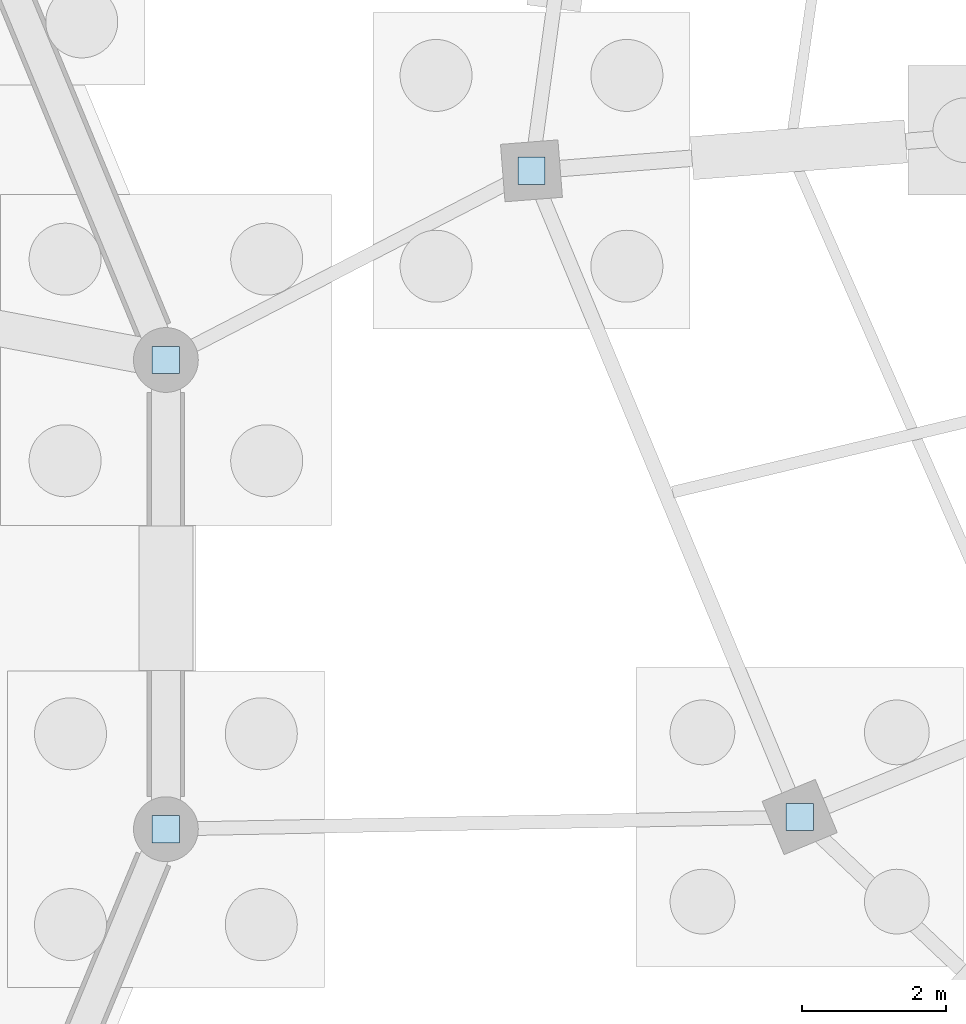
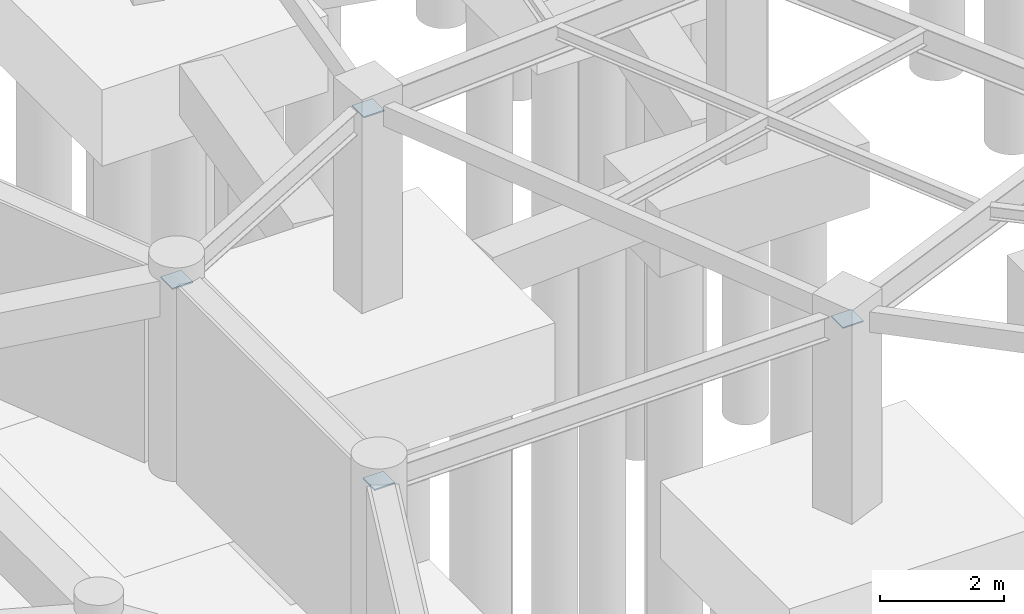
# One storey, part 23 of 38: 4 plates.
"""IFC4 building model written with IfcOpenShell, lengths in metres."""

from ifc_helpers import new_model, si_unit, direction, frame, origin, origin_2d, place, context, subcontext, project, spatial, rectangle, extrude, material, layer, layer_set, type_object, element, save


model = new_model("IFC4")

# Units and contexts
model_context = context("Model", 3, precision=1e-05, world=origin(), true_north=direction((0.0, 1.0)))
body_context = subcontext(model_context, "Body", "Model", "MODEL_VIEW")
ifc_project = project(units=[si_unit("LENGTHUNIT", "METRE"), si_unit("AREAUNIT", "SQUARE_METRE"), si_unit("VOLUMEUNIT", "CUBIC_METRE"), si_unit("PLANEANGLEUNIT", "RADIAN"), si_unit("MASSUNIT", "GRAM", prefix="KILO"), si_unit("THERMODYNAMICTEMPERATUREUNIT", "KELVIN"), si_unit("POWERUNIT", "WATT")], contexts=[model_context])

# Site, building, storey
site_placement = place(None, origin())
site = spatial("IfcSite", under=ifc_project, at=site_placement, CompositionType="ELEMENT")
building_placement = place(site_placement, origin())
building = spatial("IfcBuilding", under=site, at=building_placement, Name="Darbajah Civic Hall", CompositionType="ELEMENT")
storey_placement = place(building_placement, frame((0.0, 0.0, -4.199951171875)))
storey = spatial("IfcBuildingStorey", under=building, at=storey_placement, Name="B01", CompositionType="ELEMENT", Elevation=-4.199951171875)

# Plates
ifc_material = material(Name="Steel S355JR", Category="steel")
ifc_layer = layer(ifc_material, 0.02490234375, Name="Steel S355JR")
ifc_layer_set = layer_set([ifc_layer], Name="Steel S355JR")
plate_type = type_object("IfcPlateType", Name="Steel Gusset Plate 380x380x25", PredefinedType="SHEET", material=ifc_layer_set)
for number, where, z_axis, x_axis, name in (
    (1, (33.179931640625, 84.858154296875, 3.637451171875), (0.0, 0.0, 1.0), (1.0, 0.0, 0.0), "Link walk PTFE sliding bearing seat plate SBG-01"),
    (2, (38.257080078125, 87.485595703125, 3.637451171875), (0.0, 0.0, 1.0), (1.0, 0.0, 0.0), "Link walk PTFE sliding bearing seat plate SBG-02"),
    (3, (33.179931640625, 78.341796875, 3.637451171875), (0.0, 0.0, 1.0), (1.0, 0.0, 0.0), "Link walk PTFE sliding bearing seat plate SBG-03"),
    (4, (41.982177734375, 78.5107421875, 3.637451171875), (0.0, 0.0, 1.0), (1.0, 0.0, 0.0), "Link walk PTFE sliding bearing seat plate SBG-04"),
):
    element("IfcPlate", number, at=place(storey_placement, frame(where, z_axis=z_axis, x_axis=x_axis)), inside=storey, type_object=plate_type, Name=name, PredefinedType="SHEET", context=body_context, shape_type="SweptSolid", body=[
        extrude(rectangle(XDim=0.3798828125, YDim=0.3798828125, at=origin_2d()), origin(), (0.0, 0.0, 1.0), 0.02490234375),
    ])

save(model, "model.ifc")
